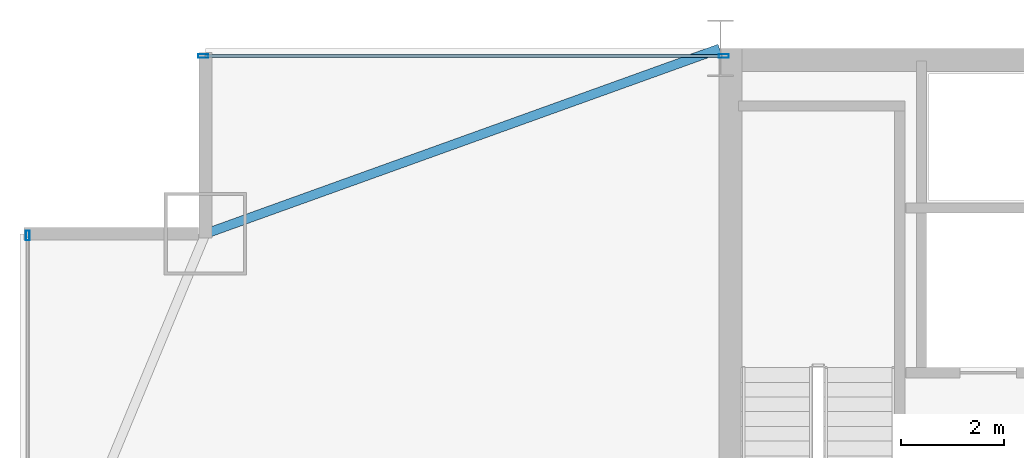
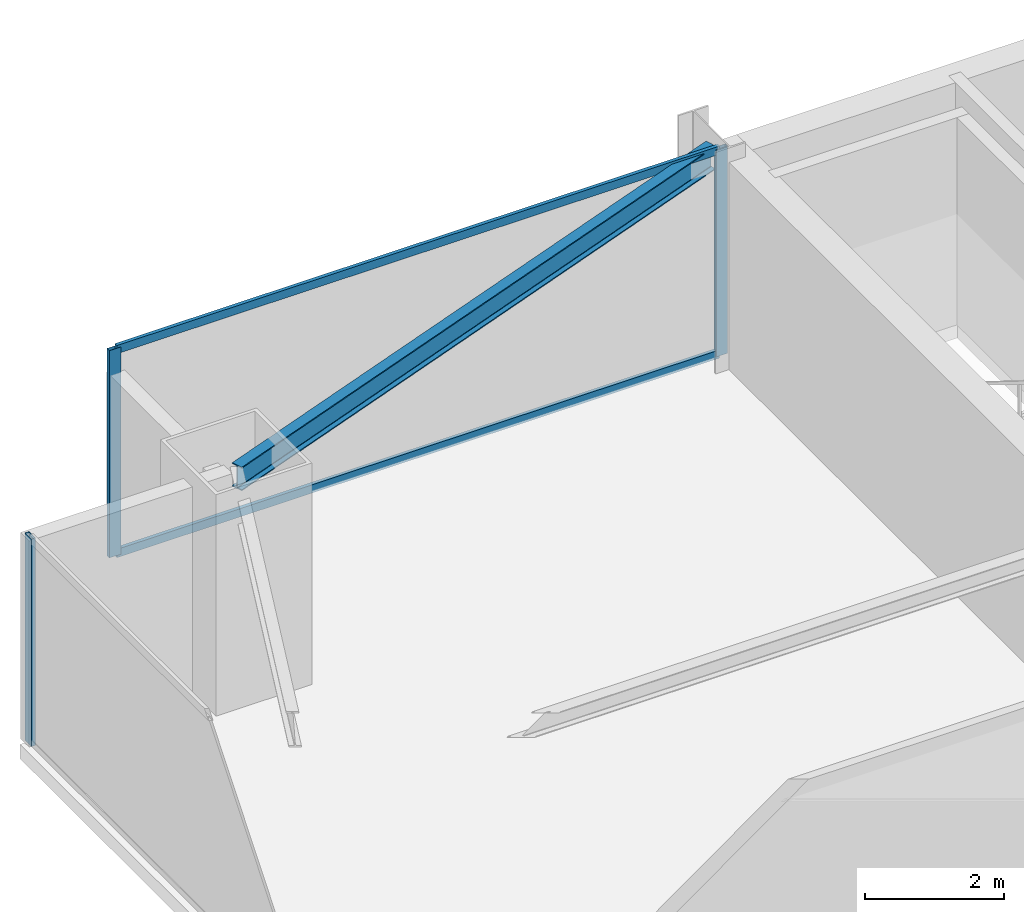
# One storey, part 20 of 29: 5 members, 1 beam, 2 elements without a shape of their own.
"""IFC4 building model written with IfcOpenShell, lengths in metres."""

from ifc_helpers import new_model, si_unit, direction, frame, origin, origin_2d, place, context, subcontext, project, spatial, hollow_rectangle, i_section, extrude, source, transform, mapped, material, layer, layer_set, material_profile, profile_set, type_object, type_shapes, element, aggregate, save


model = new_model("IFC4")

# Units and contexts
model_context = context("Model", 3, precision=1e-05, world=origin(), true_north=direction((0.0, 1.0)))
body_context = subcontext(model_context, "Body", "Model", "MODEL_VIEW")
ifc_project = project(units=[si_unit("LENGTHUNIT", "METRE"), si_unit("AREAUNIT", "SQUARE_METRE"), si_unit("VOLUMEUNIT", "CUBIC_METRE"), si_unit("PLANEANGLEUNIT", "RADIAN"), si_unit("MASSUNIT", "GRAM", prefix="KILO")], contexts=[model_context])

# Site, building, storey
site_placement = place(None, origin())
site = spatial("IfcSite", under=ifc_project, at=site_placement, CompositionType="ELEMENT")
building_placement = place(site_placement, origin())
building = spatial("IfcBuilding", under=site, at=building_placement, Name="Varnel Quay Broadcast Tower", CompositionType="ELEMENT")
storey_placement = place(building_placement, frame((0.0, 0.0, 74.39990234375)))
storey = spatial("IfcBuildingStorey", under=building, at=storey_placement, Name="L17", CompositionType="ELEMENT", Elevation=74.39990234375)

# Beam
ifc_material_1 = material(Name="Structural Steel CSA G40.21 350W", Category="steel")
ifc_material_profile_1 = material_profile(ifc_material_1, i_section(OverallWidth=0.180908203125, OverallDepth=0.4169921875, WebThickness=0.010986328125, FlangeThickness=0.018310546875, FilletRadius=0.011962890625, at=origin_2d()), Name="W410X85")
ifc_profile_set_1 = profile_set([ifc_material_profile_1], Name="Structural Steel CSA G40.21 350W")
beam_type = type_object("IfcBeamType", Name="Beam_W410X85", PredefinedType="SPANDREL", material=ifc_profile_set_1)
shared_shape_1 = source(origin(), body_context, "Body", "SweptSolid", [
    extrude(i_section(OverallWidth=0.180908203125, OverallDepth=0.4169921875, WebThickness=0.010986328125, FlangeThickness=0.018310546875, FilletRadius=0.011962890625, at=origin_2d()), origin(), (0.0, 0.0, 1.0), 10.58837890625),
])
type_shapes(beam_type, [shared_shape_1])
beam_placement = place(storey_placement, frame((5.618896484375, 43.206787109375, 3.441650390625), z_axis=(0.940888587605, 0.338716202321, 0.0), x_axis=(-0.338716202321, 0.940888587605, 0.0)))
element("IfcBeam", 1, at=beam_placement, inside=storey, type_object=beam_type, Name="L17 NW Tie Spandrel", PredefinedType="SPANDREL", context=body_context, shape_type="MappedRepresentation", body=[
    mapped(shared_shape_1, transform((0.0, 0.0, 0.0), x_axis=(1.0, 0.0, 0.0), y_axis=(0.0, 1.0, 0.0), z_axis=(0.0, 0.0, 1.0), scale=1.0)),
])

# Curtain wall, members
ifc_material_2 = material(Name="Anodised Bronze Aluminium 6063-T6", Category="aluminium")
ifc_layer = layer(ifc_material_2, 0.18994140625, Name="Anodised Bronze Aluminium 6063-T6")
ifc_layer_set = layer_set([ifc_layer], Name="Anodised Bronze Aluminium 6063-T6")
curtain_wall_type = type_object("IfcCurtainWallType", Name="CW_LowerTower", PredefinedType="NOTDEFINED", material=ifc_layer_set)
curtain_wall_1_placement = place(storey_placement, origin())
curtain_wall_1 = element("IfcCurtainWall", 2, at=curtain_wall_1_placement, inside=storey, type_object=curtain_wall_type, Name="L17 NW Wing Curtain Wall", PredefinedType="NOTDEFINED")
ifc_material_profile_2 = material_profile(ifc_material_2, hollow_rectangle(XDim=0.06005859375, YDim=0.14501953125, WallThickness=0.00341796875, at=origin_2d()), Name="ALU60X145X3.5")
ifc_profile_set_2 = profile_set([ifc_material_profile_2], Name="Anodised Bronze Aluminium 6063-T6")
member_type_1 = type_object("IfcMemberType", Name="Tran_CWS-02", PredefinedType="USERDEFINED", material=ifc_profile_set_2)
shared_shape_2 = source(origin(), body_context, "Body", "SweptSolid", [
    extrude(hollow_rectangle(XDim=0.06005859375, YDim=0.14501953125, WallThickness=0.00341796875, at=origin_2d()), origin(), (0.0, 0.0, 1.0), 10.039794921875),
])
type_shapes(member_type_1, [shared_shape_2])
member_1_placement = place(storey_placement, frame((5.590087890625, 46.64990234375, 0.030029296875), z_axis=(1.0, 0.0, 0.0), x_axis=(0.0, 1.0, 0.0)))
member_1 = element("IfcMember", 3, at=member_1_placement, type_object=member_type_1, Name="CWS-02 transom 1.1", ObjectType="TRANSOM", PredefinedType="USERDEFINED", context=body_context, shape_type="MappedRepresentation", body=[
    mapped(shared_shape_2, transform((0.0, 0.0, 0.0), x_axis=(1.0, 0.0, 0.0), y_axis=(0.0, 1.0, 0.0), z_axis=(0.0, 0.0, 1.0), scale=1.0)),
])
member_2_placement = place(storey_placement, frame((5.590087890625, 46.64990234375, 3.6201171875), z_axis=(1.0, 0.0, 0.0), x_axis=(0.0, 1.0, 0.0)))
member_2 = element("IfcMember", 4, at=member_2_placement, type_object=member_type_1, Name="CWS-02 transom 1.2", ObjectType="TRANSOM", PredefinedType="USERDEFINED", context=body_context, shape_type="MappedRepresentation", body=[
    mapped(shared_shape_2, transform((0.0, 0.0, 0.0), x_axis=(1.0, 0.0, 0.0), y_axis=(0.0, 1.0, 0.0), z_axis=(0.0, 0.0, 1.0), scale=1.0)),
])

# Curtain wall, member
curtain_wall_2_placement = place(storey_placement, origin())
curtain_wall_2 = element("IfcCurtainWall", 5, at=curtain_wall_2_placement, inside=storey, type_object=curtain_wall_type, Name="L17 West Unitised Curtain Wall", PredefinedType="NOTDEFINED")
ifc_material_profile_3 = material_profile(ifc_material_2, hollow_rectangle(XDim=0.070068359375, YDim=0.18994140625, WallThickness=0.00390625, at=origin_2d()), Name="ALU70X190X4")
ifc_profile_set_3 = profile_set([ifc_material_profile_3], Name="Anodised Bronze Aluminium 6063-T6")
member_type_2 = type_object("IfcMemberType", Name="Mull_CWS-02", PredefinedType="MULLION", material=ifc_profile_set_3)
shared_shape_3 = source(origin(), body_context, "Body", "SweptSolid", [
    extrude(hollow_rectangle(XDim=0.070068359375, YDim=0.18994140625, WallThickness=0.00390625, at=origin_2d()), origin(), (0.0, 0.0, 1.0), 3.650146484375),
])
type_shapes(member_type_2, [shared_shape_3])
member_3_placement = place(storey_placement, frame((2.14990234375, 43.1650390625, 0.0), z_axis=(0.0, 0.0, 1.0), x_axis=(-1.0, 0.0, 0.0)))
member_3 = element("IfcMember", 6, at=member_3_placement, type_object=member_type_2, Name="CWS-02 mullion 4", PredefinedType="MULLION", context=body_context, shape_type="MappedRepresentation", body=[
    mapped(shared_shape_3, transform((0.0, 0.0, 0.0), x_axis=(1.0, 0.0, 0.0), y_axis=(0.0, 1.0, 0.0), z_axis=(0.0, 0.0, 1.0), scale=1.0)),
])
aggregate(curtain_wall_2, [member_3])

# Member
member_4_placement = place(storey_placement, frame((5.554931640625, 46.64990234375, 0.0), z_axis=(0.0, 0.0, 1.0), x_axis=(0.0, 1.0, 0.0)))
member_4 = element("IfcMember", 7, at=member_4_placement, type_object=member_type_2, Name="CWS-02 mullion 1", PredefinedType="MULLION", context=body_context, shape_type="MappedRepresentation", body=[
    mapped(shared_shape_3, transform((0.0, 0.0, 0.0), x_axis=(1.0, 0.0, 0.0), y_axis=(0.0, 1.0, 0.0), z_axis=(0.0, 0.0, 1.0), scale=1.0)),
])

member_5_placement = place(storey_placement, frame((15.6650390625, 46.64990234375, 0.0), z_axis=(0.0, 0.0, 1.0), x_axis=(0.0, 1.0, 0.0)))
member_5 = element("IfcMember", 8, at=member_5_placement, type_object=member_type_2, Name="CWS-02 mullion 2", PredefinedType="MULLION", context=body_context, shape_type="MappedRepresentation", body=[
    mapped(shared_shape_3, transform((0.0, 0.0, 0.0), x_axis=(1.0, 0.0, 0.0), y_axis=(0.0, 1.0, 0.0), z_axis=(0.0, 0.0, 1.0), scale=1.0)),
])

aggregate(curtain_wall_1, [member_4, member_5, member_1, member_2])

save(model, "model.ifc")
